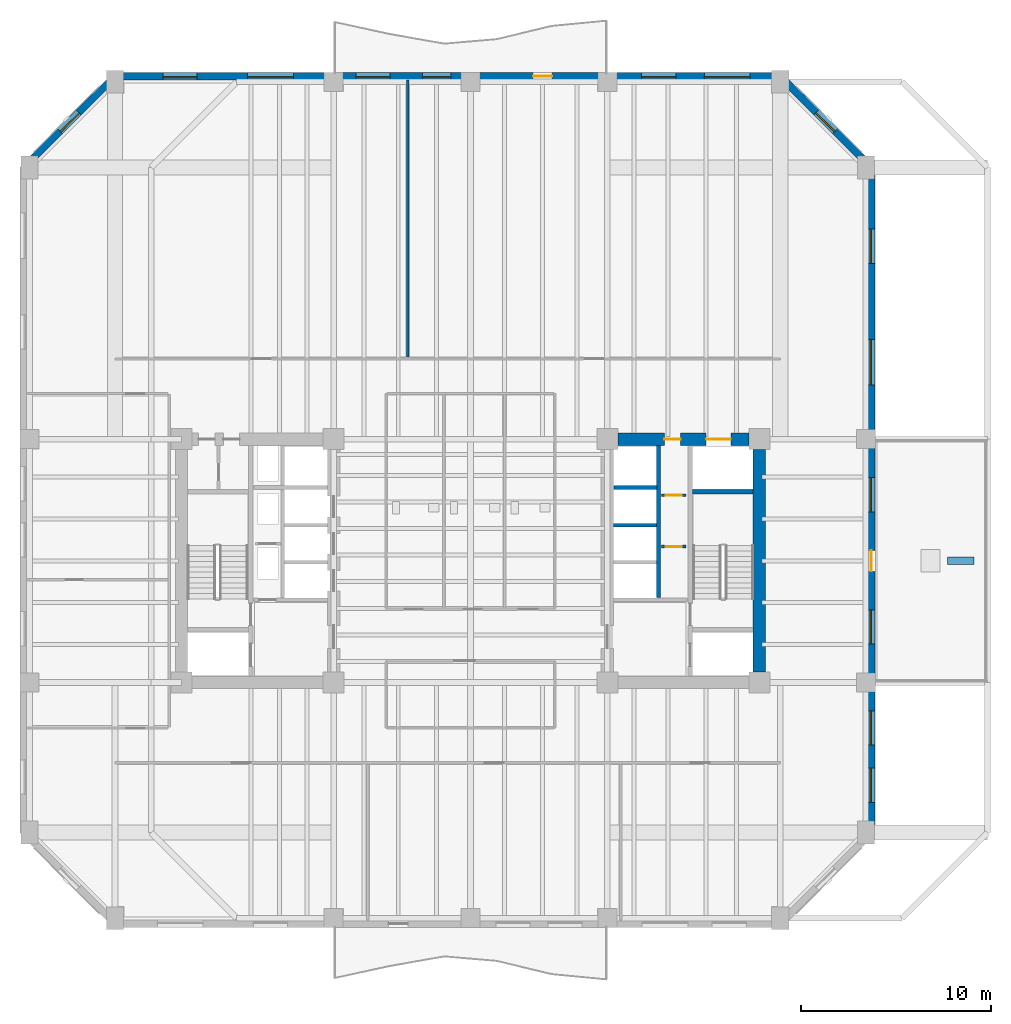
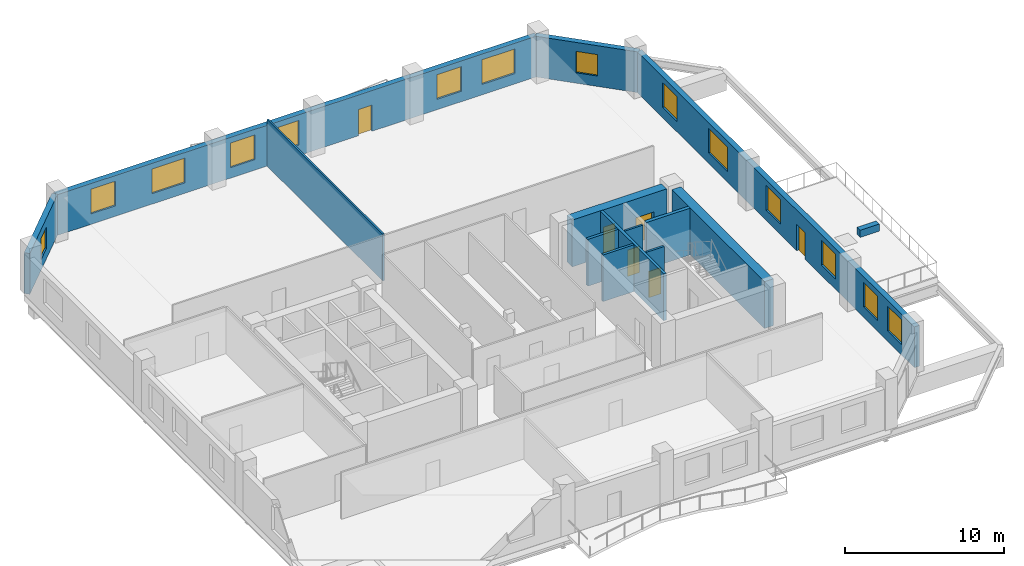
# One storey, part 5 of 11: 14 walls, 14 windows, 6 doors, 20 openings.
"""IFC4 building model written with IfcOpenShell, lengths in metres."""

import ifcopenshell
import ifcopenshell.guid

model = None  # the IFC model being written
_history = None  # IfcOwnerHistory: only IFC2X3 demands one
_inside = {}  # id of a spatial element -> (the spatial element, [elements in it])
_under = {}  # id of a project, library or spatial element -> (it, [spatial elements below it])
_declared = {}  # id of a project -> (the project, [libraries it declares])
_typed = {}  # id of a type object -> (the type object, [elements of that type])
_made_of = {}  # id of a material, layer set ... -> (it, [elements and type objects made of it])


def new_model(schema):
    """Start an empty IFC model of exactly this schema.

    Asked for "IFC4X3", IfcOpenShell would pick the latest addendum, in which some entities
    have other attributes; the version numbers below select the first issue.
    IFC2X3 requires an IfcOwnerHistory on every rooted entity: one is made here for all.
    """
    global model, _history
    if schema == "IFC4X3":
        model = ifcopenshell.file(schema_version=(4, 3, 0, 0))
    else:
        model = ifcopenshell.file(schema=schema)
    _inside.clear()
    _under.clear()
    _declared.clear()
    _typed.clear()
    _made_of.clear()
    _history = None
    if model.schema == "IFC2X3":
        org = make("IfcOrganization", Name="unknown")
        user = make(
            "IfcPersonAndOrganization",
            ThePerson=make("IfcPerson", FamilyName="unknown"),
            TheOrganization=org,
        )
        app = make(
            "IfcApplication",
            ApplicationDeveloper=org,
            Version="unknown",
            ApplicationFullName="unknown",
            ApplicationIdentifier="unknown",
        )
        _history = make(
            "IfcOwnerHistory",
            OwningUser=user,
            OwningApplication=app,
            ChangeAction="ADDED",
            CreationDate=0,
        )
    return model


def make(cls, **values):
    """One entity of the class cls with the attributes given. An attribute that is None is left unset."""
    return model.create_entity(
        cls, **{name: value for name, value in values.items() if value is not None}
    )


def rooted(cls, **values):
    """An entity with a GlobalId (a new one), such as an element, a storey or a relation."""
    return make(cls, GlobalId=ifcopenshell.guid.new(), OwnerHistory=_history, **values)


def si_unit(unit_type, name, prefix=None):
    """IfcSIUnit, for example si_unit("LENGTHUNIT", "METRE", prefix="MILLI")."""
    return make("IfcSIUnit", UnitType=unit_type, Prefix=prefix, Name=name)


def assignment(units):
    """IfcUnitAssignment: the units of a project."""
    return None if units is None else make("IfcUnitAssignment", Units=units)


def point(xyz):
    """IfcCartesianPoint."""
    return None if xyz is None else make("IfcCartesianPoint", Coordinates=xyz)


def direction(xyz):
    """IfcDirection."""
    return None if xyz is None else make("IfcDirection", DirectionRatios=xyz)


def frame(location, z_axis=None, x_axis=None):
    """IfcAxis2Placement3D, a coordinate frame: its origin and axes. An axis left out is left unset."""
    return make(
        "IfcAxis2Placement3D",
        Location=point(location),
        Axis=direction(z_axis),
        RefDirection=direction(x_axis),
    )


def frame_2d(location, x_axis=None):
    """IfcAxis2Placement2D, a coordinate frame in the plane: its origin and x axis."""
    return make(
        "IfcAxis2Placement2D", Location=point(location), RefDirection=direction(x_axis)
    )


def origin():
    """The frame at (0, 0, 0) with its axes left unset."""
    return frame((0.0, 0.0, 0.0))


def place(relative_to, where):
    """IfcLocalPlacement: puts the frame where relative to a parent placement (None: the world)."""
    return make(
        "IfcLocalPlacement", PlacementRelTo=relative_to, RelativePlacement=where
    )


def context(
    kind, dimensions, precision=None, world=None, true_north=None, identifier=None
):
    """IfcGeometricRepresentationContext, for example the 3D "Model" context."""
    return make(
        "IfcGeometricRepresentationContext",
        ContextIdentifier=identifier,
        ContextType=kind,
        CoordinateSpaceDimension=dimensions,
        Precision=precision,
        WorldCoordinateSystem=world,
        TrueNorth=true_north,
    )


def subcontext(parent, identifier, kind, view, scale=None):
    """IfcGeometricRepresentationSubContext, for example "Body" below "Model"."""
    return make(
        "IfcGeometricRepresentationSubContext",
        ContextIdentifier=identifier,
        ContextType=kind,
        ParentContext=parent,
        TargetScale=scale,
        TargetView=view,
    )


def project(units=None, contexts=None):
    """IfcProject with its units and contexts."""
    return rooted(
        "IfcProject",
        Name="project",
        RepresentationContexts=contexts,
        UnitsInContext=assignment(units),
    )


def spatial(cls, under=None, at=None, **own):
    """A site, building, storey or space (cls), placed at a placement, below another one or the project."""
    s = rooted(cls, ObjectPlacement=at, **own)
    if under is not None:
        _under.setdefault(under.id(), (under, []))[1].append(s)
    return s


def profile(cls, at=None, kind="AREA", **sizes):
    """A parametric profile (cls). Its sizes go by their IFC names, for example OverallWidth=200.0."""
    return make(cls, ProfileType=kind, Position=at, **sizes)


def rectangle(**sizes):
    """IfcRectangleProfileDef."""
    return profile("IfcRectangleProfileDef", **sizes)


def extrude(swept, where, along, depth):
    """IfcExtrudedAreaSolid: the profile swept, set in the frame where, extruded along a direction by depth."""
    return make(
        "IfcExtrudedAreaSolid",
        SweptArea=swept,
        Position=where,
        ExtrudedDirection=direction(along),
        Depth=depth,
    )


def shape(context_of_items, identifier, shape_type, items):
    """IfcShapeRepresentation: the items that make up one representation, for example the "Body"."""
    return make(
        "IfcShapeRepresentation",
        ContextOfItems=context_of_items,
        RepresentationIdentifier=identifier,
        RepresentationType=shape_type,
        Items=items,
    )


def material(Name=None, Category=None):
    """IfcMaterial."""
    return make("IfcMaterial", Name=Name, Category=Category)


def layer(
    of_material, thickness, ventilated=None, Name=None, Category=None, Priority=None
):
    """IfcMaterialLayer: one layer of a wall or slab, of a material (None: an air gap)."""
    return make(
        "IfcMaterialLayer",
        Material=of_material,
        LayerThickness=thickness,
        IsVentilated=ventilated,
        Name=Name,
        Category=Category,
        Priority=Priority,
    )


def layer_set(layers, Name=None):
    """IfcMaterialLayerSet."""
    return make("IfcMaterialLayerSet", MaterialLayers=layers, LayerSetName=Name)


def made_of(thing, what):
    """Note that an element or type object is made of a material, layer set ...; save() writes the relation."""
    if what is not None:
        _made_of.setdefault(what.id(), (what, []))[1].append(thing)
    return thing


def type_object(cls, material=None, **own):
    """A type object (cls), such as IfcWallType, which elements share."""
    return made_of(rooted(cls, **own), material)


def element(
    cls,
    number,
    at=None,
    inside=None,
    cuts=None,
    type_object=None,
    material=None,
    context=None,
    identifier="Body",
    shape_type=None,
    held_by="IfcProductDefinitionShape",
    body=None,
    shapes=None,
    **own,
):
    """One element of the class cls, such as IfcWall. Its Tag is "e" and its number.

    at: its placement. inside: the storey or other place that contains it. cuts: it is an
    opening in that element (IfcRelVoidsElement). A single representation is given by context,
    identifier, shape_type and body (its items); several are given by shapes. held_by: the class
    of the entity that holds the representations. save() writes the other relations.
    """
    e = rooted(cls, Tag="e%d" % number, ObjectPlacement=at, **own)
    if body is not None:
        shapes = [shape(context, identifier, shape_type, body)]
    if shapes is not None:
        e.Representation = make(held_by, Representations=shapes)
    if inside is not None:
        _inside.setdefault(inside.id(), (inside, []))[1].append(e)
    if cuts is not None:
        rooted(
            "IfcRelVoidsElement", RelatingBuildingElement=cuts, RelatedOpeningElement=e
        )
    if type_object is not None:
        _typed.setdefault(type_object.id(), (type_object, []))[1].append(e)
    return made_of(e, material)


def fill(opening, filler):
    """IfcRelFillsElement: the door or window that sits in an opening."""
    return rooted(
        "IfcRelFillsElement",
        RelatingOpeningElement=opening,
        RelatedBuildingElement=filler,
    )


def aggregate(whole, parts):
    """IfcRelAggregates: a whole, such as a stair, and the parts it consists of."""
    return rooted("IfcRelAggregates", RelatingObject=whole, RelatedObjects=parts)


def save(model, path):
    """Write the relations noted so far, then the file.

    IfcRelAggregates (storeys below a building ...), IfcRelContainedInSpatialStructure (elements
    in a storey), IfcRelDefinesByType, IfcRelAssociatesMaterial and IfcRelDeclares: one each for
    every whole, place, type object, material and project.
    """
    for whole, parts in _under.values():
        aggregate(whole, parts)
    for where, things in _inside.values():
        rooted(
            "IfcRelContainedInSpatialStructure",
            RelatedElements=things,
            RelatingStructure=where,
        )
    for kind, things in _typed.values():
        rooted("IfcRelDefinesByType", RelatedObjects=things, RelatingType=kind)
    for what, things in _made_of.values():
        rooted("IfcRelAssociatesMaterial", RelatedObjects=things, RelatingMaterial=what)
    for by, libraries in _declared.values():
        rooted("IfcRelDeclares", RelatingContext=by, RelatedDefinitions=libraries)
    model.write(path)


model = new_model("IFC4")

# Units and contexts
model_context = context("Model", 3, precision=1e-05, world=origin(), true_north=direction((0.0, 1.0)))
body_context = subcontext(model_context, "Body", "Model", "MODEL_VIEW")
ifc_project = project(units=[si_unit("LENGTHUNIT", "METRE"), si_unit("AREAUNIT", "SQUARE_METRE"), si_unit("VOLUMEUNIT", "CUBIC_METRE"), si_unit("PLANEANGLEUNIT", "RADIAN"), si_unit("MASSUNIT", "GRAM", prefix="KILO")], contexts=[model_context])

# Site, building, storey
site_placement = place(None, origin())
site = spatial("IfcSite", under=ifc_project, at=site_placement, CompositionType="ELEMENT")
building_placement = place(site_placement, origin())
building = spatial("IfcBuilding", under=site, at=building_placement, Name="Kranthara Brick Stack", CompositionType="ELEMENT")
storey_placement = place(building_placement, frame((0.0, 0.0, 94.5)))
storey = spatial("IfcBuildingStorey", under=building, at=storey_placement, Name="L23", CompositionType="ELEMENT", Elevation=94.5)

# Wall, opening, window
ifc_material_1 = material(Name="Kiln-fired clay brick masonry M15", Category="masonry")
ifc_layer_1 = layer(ifc_material_1, 0.3798828125)
ifc_layer_set_1 = layer_set([ifc_layer_1], Name="Kiln-fired clay brick masonry M15")
wall_type_1 = type_object("IfcWallType", Name="WL-BRK-PIER-380", PredefinedType="STANDARD", material=ifc_layer_set_1)
wall_1_placement = place(storey_placement, frame((4.510009765625, 47.89990234375, 0.0), z_axis=(0.0, 0.0, 1.0), x_axis=(0.707106781187, 0.707106781187, 0.0)))
wall_1 = element("IfcWall", 1, at=wall_1_placement, inside=storey, type_object=wall_type_1, Name="L23 Exterior Brick Facade Wall NW 1", PredefinedType="STANDARD", context=body_context, shape_type="SweptSolid", body=[
    extrude(rectangle(XDim=6.774169921875, YDim=0.3798828125, at=frame_2d((3.38720703125, 0.0))), origin(), (0.0, 0.0, 1.0), 3.135009765625),
])
opening_1_placement = place(wall_1_placement, frame((2.68701171875, 0.0, 0.800048828125)))
opening_1 = element("IfcOpeningElement", 2, at=opening_1_placement, cuts=wall_1, Name="Opening WN10", PredefinedType="OPENING", context=body_context, shape_type="SweptSolid", body=[
    extrude(rectangle(XDim=1.39990234375, YDim=1.64990234375, at=frame_2d((0.699951171875, 0.824951171875))), frame((0.0, 0.199951171875, 0.0), z_axis=(0.0, -1.0, 0.0), x_axis=(1.0, 0.0, 0.0)), (0.0, 0.0, 1.0), 0.39990234375),
])
ifc_material_2 = material(Name="Double-glazed low-E solar control glass", Category="glass")
window_type_1 = type_object("IfcWindowType", Name="WN-CHM-1400x1750", PartitioningType="SINGLE_PANEL", PredefinedType="WINDOW", material=ifc_material_2)
window_1_placement = place(opening_1_placement, origin())
window_1 = element("IfcWindow", 3, at=window_1_placement, inside=storey, type_object=window_type_1, Name="L23 NW Chamfer Corner Window", OverallHeight=1.64990234375, OverallWidth=1.39990234375, PartitioningType="SINGLE_PANEL", PredefinedType="WINDOW", context=body_context, shape_type="SweptSolid", body=[
    extrude(rectangle(XDim=1.39990234375, YDim=1.64990234375, at=frame_2d((0.699951171875, 0.824951171875))), frame((0.0, -0.010009765625, 0.0), z_axis=(0.0, -1.0, 0.0), x_axis=(1.0, 0.0, 0.0)), (0.0, 0.0, 1.0), 0.06005859375),
])
fill(opening_1, window_1)

# Wall, openings, door, windows
wall_2_placement = place(storey_placement, frame((9.300048828125, 52.68994140625, 0.0), z_axis=(0.0, 0.0, 1.0), x_axis=(1.0, 0.0, 0.0)))
wall_2 = element("IfcWall", 4, at=wall_2_placement, inside=storey, type_object=wall_type_1, Name="L23 Exterior Brick Facade Wall NORTH 1", PredefinedType="STANDARD", context=body_context, shape_type="SweptSolid", body=[
    extrude(rectangle(XDim=35.0, YDim=0.3798828125, at=frame_2d((17.5, 0.0))), origin(), (0.0, 0.0, 1.0), 3.135009765625),
])
opening_2_placement = place(wall_2_placement, frame((22.0, 0.0, 0.0)))
opening_2 = element("IfcOpeningElement", 5, at=opening_2_placement, cuts=wall_2, Name="Opening D03", PredefinedType="OPENING", context=body_context, shape_type="SweptSolid", body=[
    extrude(rectangle(XDim=1.0, YDim=2.02001953125, at=frame_2d((0.5, 1.010009765625))), frame((0.0, 0.199951171875, 0.0), z_axis=(0.0, -1.0, 0.0), x_axis=(1.0, 0.0, 0.0)), (0.0, 0.0, 1.0), 0.39990234375),
])
opening_3_placement = place(wall_2_placement, frame((2.52392578125, 0.0, 0.800048828125)))
opening_3 = element("IfcOpeningElement", 6, at=opening_3_placement, cuts=wall_2, Name="Opening WN01", PredefinedType="OPENING", context=body_context, shape_type="SweptSolid", body=[
    extrude(rectangle(XDim=1.800048828125, YDim=1.89990234375, at=frame_2d((0.89990234375, 0.949951171875))), frame((0.0, 0.199951171875, 0.0), z_axis=(0.0, -1.0, 0.0), x_axis=(1.0, 0.0, 0.0)), (0.0, 0.0, 1.0), 0.39990234375),
])
opening_4_placement = place(wall_2_placement, frame((6.97607421875, 0.0, 0.800048828125)))
opening_4 = element("IfcOpeningElement", 7, at=opening_4_placement, cuts=wall_2, Name="Opening WN02", PredefinedType="OPENING", context=body_context, shape_type="SweptSolid", body=[
    extrude(rectangle(XDim=2.39990234375, YDim=1.89990234375, at=frame_2d((1.199951171875, 0.949951171875))), frame((0.0, 0.199951171875, 0.0), z_axis=(0.0, -1.0, 0.0), x_axis=(1.0, 0.0, 0.0)), (0.0, 0.0, 1.0), 0.39990234375),
])
opening_5_placement = place(wall_2_placement, frame((12.675048828125, 0.0, 0.800048828125)))
opening_5 = element("IfcOpeningElement", 8, at=opening_5_placement, cuts=wall_2, Name="Opening WN01", PredefinedType="OPENING", context=body_context, shape_type="SweptSolid", body=[
    extrude(rectangle(XDim=1.800048828125, YDim=1.89990234375, at=frame_2d((0.89990234375, 0.949951171875))), frame((0.0, 0.199951171875, 0.0), z_axis=(0.0, -1.0, 0.0), x_axis=(1.0, 0.0, 0.0)), (0.0, 0.0, 1.0), 0.39990234375),
])
opening_6_placement = place(wall_2_placement, frame((16.175048828125, 0.0, 0.800048828125)))
opening_6 = element("IfcOpeningElement", 9, at=opening_6_placement, cuts=wall_2, Name="Opening WN03", PredefinedType="OPENING", context=body_context, shape_type="SweptSolid", body=[
    extrude(rectangle(XDim=1.5, YDim=1.89990234375, at=frame_2d((0.75, 0.949951171875))), frame((0.0, 0.199951171875, 0.0), z_axis=(0.0, -1.0, 0.0), x_axis=(1.0, 0.0, 0.0)), (0.0, 0.0, 1.0), 0.39990234375),
])
opening_7_placement = place(wall_2_placement, frame((27.699951171875, 0.0, 0.800048828125)))
opening_7 = element("IfcOpeningElement", 10, at=opening_7_placement, cuts=wall_2, Name="Opening WN01", PredefinedType="OPENING", context=body_context, shape_type="SweptSolid", body=[
    extrude(rectangle(XDim=1.800048828125, YDim=1.89990234375, at=frame_2d((0.89990234375, 0.949951171875))), frame((0.0, 0.199951171875, 0.0), z_axis=(0.0, -1.0, 0.0), x_axis=(1.0, 0.0, 0.0)), (0.0, 0.0, 1.0), 0.39990234375),
])
opening_8_placement = place(wall_2_placement, frame((31.0, 0.0, 0.800048828125)))
opening_8 = element("IfcOpeningElement", 11, at=opening_8_placement, cuts=wall_2, Name="Opening WN02", PredefinedType="OPENING", context=body_context, shape_type="SweptSolid", body=[
    extrude(rectangle(XDim=2.39990234375, YDim=1.89990234375, at=frame_2d((1.199951171875, 0.949951171875))), frame((0.0, 0.199951171875, 0.0), z_axis=(0.0, -1.0, 0.0), x_axis=(1.0, 0.0, 0.0)), (0.0, 0.0, 1.0), 0.39990234375),
])
ifc_material_3 = material(Name="Bronze anodised aluminium and laminated glass", Category="aluminium")
door_type_1 = type_object("IfcDoorType", Name="DR-BALC-1000", OperationType="NOTDEFINED", PredefinedType="DOOR", material=ifc_material_3)
door_1_placement = place(opening_2_placement, origin())
door_1 = element("IfcDoor", 12, at=door_1_placement, inside=storey, type_object=door_type_1, Name="L23 North Balcony Terrace Door", OperationType="SINGLE_SWING_RIGHT", OverallHeight=2.02001953125, OverallWidth=1.0, PredefinedType="DOOR", context=body_context, shape_type="SweptSolid", body=[
    extrude(rectangle(XDim=1.0, YDim=2.02001953125, at=frame_2d((0.5, 1.010009765625))), frame((0.0, 0.02490234375, 0.0), z_axis=(0.0, -1.0, 0.0), x_axis=(1.0, 0.0, 0.0)), (0.0, 0.0, 1.0), 0.050048828125),
])
fill(opening_2, door_1)
ifc_material_4 = material(Name="Double-glazed low-E solar control glass", Category="glass")
window_type_2 = type_object("IfcWindowType", Name="WN-OFF-1500x2000", PartitioningType="SINGLE_PANEL", PredefinedType="WINDOW", material=ifc_material_4)
window_2_placement = place(opening_6_placement, origin())
window_2 = element("IfcWindow", 13, at=window_2_placement, inside=storey, type_object=window_type_2, Name="L23 North Deep-Set Brick Window 04", OverallHeight=1.89990234375, OverallWidth=1.5, PartitioningType="SINGLE_PANEL", PredefinedType="WINDOW", context=body_context, shape_type="SweptSolid", body=[
    extrude(rectangle(XDim=1.5, YDim=1.89990234375, at=frame_2d((0.75, 0.949951171875))), frame((0.0, -0.010009765625, 0.0), z_axis=(0.0, -1.0, 0.0), x_axis=(1.0, 0.0, 0.0)), (0.0, 0.0, 1.0), 0.06005859375),
])
fill(opening_6, window_2)
ifc_material_5 = material(Name="Double-glazed low-E solar control glass", Category="glass")
window_type_3 = type_object("IfcWindowType", Name="WN-OFF-1800x2000", PartitioningType="SINGLE_PANEL", PredefinedType="WINDOW", material=ifc_material_5)
window_3_placement = place(opening_3_placement, origin())
window_3 = element("IfcWindow", 14, at=window_3_placement, inside=storey, type_object=window_type_3, Name="L23 North Deep-Set Brick Window 01", OverallHeight=1.89990234375, OverallWidth=1.800048828125, PartitioningType="SINGLE_PANEL", PredefinedType="WINDOW", context=body_context, shape_type="SweptSolid", body=[
    extrude(rectangle(XDim=1.800048828125, YDim=1.89990234375, at=frame_2d((0.89990234375, 0.949951171875))), frame((0.0, -0.010009765625, 0.0), z_axis=(0.0, -1.0, 0.0), x_axis=(1.0, 0.0, 0.0)), (0.0, 0.0, 1.0), 0.06005859375),
])
fill(opening_3, window_3)
window_4_placement = place(opening_5_placement, origin())
window_4 = element("IfcWindow", 15, at=window_4_placement, inside=storey, type_object=window_type_3, Name="L23 North Deep-Set Brick Window 03", OverallHeight=1.89990234375, OverallWidth=1.800048828125, PartitioningType="SINGLE_PANEL", PredefinedType="WINDOW", context=body_context, shape_type="SweptSolid", body=[
    extrude(rectangle(XDim=1.800048828125, YDim=1.89990234375, at=frame_2d((0.89990234375, 0.949951171875))), frame((0.0, -0.010009765625, 0.0), z_axis=(0.0, -1.0, 0.0), x_axis=(1.0, 0.0, 0.0)), (0.0, 0.0, 1.0), 0.06005859375),
])
fill(opening_5, window_4)
window_5_placement = place(opening_7_placement, origin())
window_5 = element("IfcWindow", 16, at=window_5_placement, inside=storey, type_object=window_type_3, Name="L23 North Deep-Set Brick Window 05", OverallHeight=1.89990234375, OverallWidth=1.800048828125, PartitioningType="SINGLE_PANEL", PredefinedType="WINDOW", context=body_context, shape_type="SweptSolid", body=[
    extrude(rectangle(XDim=1.800048828125, YDim=1.89990234375, at=frame_2d((0.89990234375, 0.949951171875))), frame((0.0, -0.010009765625, 0.0), z_axis=(0.0, -1.0, 0.0), x_axis=(1.0, 0.0, 0.0)), (0.0, 0.0, 1.0), 0.06005859375),
])
fill(opening_7, window_5)
ifc_material_6 = material(Name="Double-glazed low-E solar control glass", Category="glass")
window_type_4 = type_object("IfcWindowType", Name="WN-OFF-2400x2000", PartitioningType="DOUBLE_PANEL_VERTICAL", PredefinedType="WINDOW", material=ifc_material_6)
window_6_placement = place(opening_4_placement, origin())
window_6 = element("IfcWindow", 17, at=window_6_placement, inside=storey, type_object=window_type_4, Name="L23 North Deep-Set Brick Window 02", OverallHeight=1.89990234375, OverallWidth=2.39990234375, PartitioningType="SINGLE_PANEL", PredefinedType="WINDOW", context=body_context, shape_type="SweptSolid", body=[
    extrude(rectangle(XDim=2.39990234375, YDim=1.89990234375, at=frame_2d((1.199951171875, 0.949951171875))), frame((0.0, -0.010009765625, 0.0), z_axis=(0.0, -1.0, 0.0), x_axis=(1.0, 0.0, 0.0)), (0.0, 0.0, 1.0), 0.06005859375),
])
fill(opening_4, window_6)
window_7_placement = place(opening_8_placement, origin())
window_7 = element("IfcWindow", 18, at=window_7_placement, inside=storey, type_object=window_type_4, Name="L23 North Deep-Set Brick Window 06", OverallHeight=1.89990234375, OverallWidth=2.39990234375, PartitioningType="SINGLE_PANEL", PredefinedType="WINDOW", context=body_context, shape_type="SweptSolid", body=[
    extrude(rectangle(XDim=2.39990234375, YDim=1.89990234375, at=frame_2d((1.199951171875, 0.949951171875))), frame((0.0, -0.010009765625, 0.0), z_axis=(0.0, -1.0, 0.0), x_axis=(1.0, 0.0, 0.0)), (0.0, 0.0, 1.0), 0.06005859375),
])
fill(opening_8, window_7)

# Wall, opening, window
wall_3_placement = place(storey_placement, frame((44.300048828125, 52.68994140625, 0.0), z_axis=(0.0, 0.0, 1.0), x_axis=(0.707106781187, -0.707106781187, 0.0)))
wall_3 = element("IfcWall", 19, at=wall_3_placement, inside=storey, type_object=wall_type_1, Name="L23 Exterior Brick Facade Wall NE 1", PredefinedType="STANDARD", context=body_context, shape_type="SweptSolid", body=[
    extrude(rectangle(XDim=6.774169921875, YDim=0.3798828125, at=frame_2d((3.38720703125, 0.0))), origin(), (0.0, 0.0, 1.0), 3.135009765625),
])
opening_9_placement = place(wall_3_placement, frame((2.68701171875, 0.0, 0.800048828125)))
opening_9 = element("IfcOpeningElement", 20, at=opening_9_placement, cuts=wall_3, Name="Opening WN10", PredefinedType="OPENING", context=body_context, shape_type="SweptSolid", body=[
    extrude(rectangle(XDim=1.39990234375, YDim=1.64990234375, at=frame_2d((0.699951171875, 0.824951171875))), frame((0.0, 0.199951171875, 0.0), z_axis=(0.0, -1.0, 0.0), x_axis=(1.0, 0.0, 0.0)), (0.0, 0.0, 1.0), 0.39990234375),
])
window_8_placement = place(opening_9_placement, origin())
window_8 = element("IfcWindow", 21, at=window_8_placement, inside=storey, type_object=window_type_1, Name="L23 NE Chamfer Corner Window", OverallHeight=1.64990234375, OverallWidth=1.39990234375, PartitioningType="SINGLE_PANEL", PredefinedType="WINDOW", context=body_context, shape_type="SweptSolid", body=[
    extrude(rectangle(XDim=1.39990234375, YDim=1.64990234375, at=frame_2d((0.699951171875, 0.824951171875))), frame((0.0, -0.010009765625, 0.0), z_axis=(0.0, -1.0, 0.0), x_axis=(1.0, 0.0, 0.0)), (0.0, 0.0, 1.0), 0.06005859375),
])
fill(opening_9, window_8)

# Wall, openings, door, windows
wall_4_placement = place(storey_placement, frame((49.090087890625, 47.89990234375, 0.0), z_axis=(0.0, 0.0, 1.0), x_axis=(0.0, -1.0, 0.0)))
wall_4 = element("IfcWall", 22, at=wall_4_placement, inside=storey, type_object=wall_type_1, Name="L23 Exterior Brick Facade Wall EAST 1", PredefinedType="STANDARD", context=body_context, shape_type="SweptSolid", body=[
    extrude(rectangle(XDim=35.0, YDim=0.3798828125, at=frame_2d((17.5, 0.0))), origin(), (0.0, 0.0, 1.0), 3.135009765625),
])
opening_10_placement = place(wall_4_placement, frame((20.14990234375, 0.0, 0.0)))
opening_10 = element("IfcOpeningElement", 23, at=opening_10_placement, cuts=wall_4, Name="Opening D02", PredefinedType="OPENING", context=body_context, shape_type="SweptSolid", body=[
    extrude(rectangle(XDim=1.10009765625, YDim=2.050048828125, at=frame_2d((0.550048828125, 1.02490234375))), frame((0.0, 0.199951171875, 0.0), z_axis=(0.0, -1.0, 0.0), x_axis=(1.0, 0.0, 0.0)), (0.0, 0.0, 1.0), 0.39990234375),
])
opening_11_placement = place(wall_4_placement, frame((3.251953125, 0.0, 0.800048828125)))
opening_11 = element("IfcOpeningElement", 24, at=opening_11_placement, cuts=wall_4, Name="Opening WN01", PredefinedType="OPENING", context=body_context, shape_type="SweptSolid", body=[
    extrude(rectangle(XDim=1.800048828125, YDim=1.89990234375, at=frame_2d((0.89990234375, 0.949951171875))), frame((0.0, 0.199951171875, 0.0), z_axis=(0.0, -1.0, 0.0), x_axis=(1.0, 0.0, 0.0)), (0.0, 0.0, 1.0), 0.39990234375),
])
opening_12_placement = place(wall_4_placement, frame((9.048095703125, 0.0, 0.800048828125)))
opening_12 = element("IfcOpeningElement", 25, at=opening_12_placement, cuts=wall_4, Name="Opening WN02", PredefinedType="OPENING", context=body_context, shape_type="SweptSolid", body=[
    extrude(rectangle(XDim=2.39990234375, YDim=1.89990234375, at=frame_2d((1.199951171875, 0.949951171875))), frame((0.0, 0.199951171875, 0.0), z_axis=(0.0, -1.0, 0.0), x_axis=(1.0, 0.0, 0.0)), (0.0, 0.0, 1.0), 0.39990234375),
])
opening_13_placement = place(wall_4_placement, frame((16.324951171875, 0.0, 0.800048828125)))
opening_13 = element("IfcOpeningElement", 26, at=opening_13_placement, cuts=wall_4, Name="Opening WN01", PredefinedType="OPENING", context=body_context, shape_type="SweptSolid", body=[
    extrude(rectangle(XDim=1.800048828125, YDim=1.89990234375, at=frame_2d((0.89990234375, 0.949951171875))), frame((0.0, 0.199951171875, 0.0), z_axis=(0.0, -1.0, 0.0), x_axis=(1.0, 0.0, 0.0)), (0.0, 0.0, 1.0), 0.39990234375),
])
opening_14_placement = place(wall_4_placement, frame((23.27490234375, 0.0, 0.800048828125)))
opening_14 = element("IfcOpeningElement", 27, at=opening_14_placement, cuts=wall_4, Name="Opening WN01", PredefinedType="OPENING", context=body_context, shape_type="SweptSolid", body=[
    extrude(rectangle(XDim=1.800048828125, YDim=1.89990234375, at=frame_2d((0.89990234375, 0.949951171875))), frame((0.0, 0.199951171875, 0.0), z_axis=(0.0, -1.0, 0.0), x_axis=(1.0, 0.0, 0.0)), (0.0, 0.0, 1.0), 0.39990234375),
])
opening_15_placement = place(wall_4_placement, frame((28.587890625, 0.0, 0.800048828125)))
opening_15 = element("IfcOpeningElement", 28, at=opening_15_placement, cuts=wall_4, Name="Opening WN01", PredefinedType="OPENING", context=body_context, shape_type="SweptSolid", body=[
    extrude(rectangle(XDim=1.800048828125, YDim=1.89990234375, at=frame_2d((0.89990234375, 0.949951171875))), frame((0.0, 0.199951171875, 0.0), z_axis=(0.0, -1.0, 0.0), x_axis=(1.0, 0.0, 0.0)), (0.0, 0.0, 1.0), 0.39990234375),
])
opening_16_placement = place(wall_4_placement, frame((31.612060546875, 0.0, 0.800048828125)))
opening_16 = element("IfcOpeningElement", 29, at=opening_16_placement, cuts=wall_4, Name="Opening WN01", PredefinedType="OPENING", context=body_context, shape_type="SweptSolid", body=[
    extrude(rectangle(XDim=1.800048828125, YDim=1.89990234375, at=frame_2d((0.89990234375, 0.949951171875))), frame((0.0, 0.199951171875, 0.0), z_axis=(0.0, -1.0, 0.0), x_axis=(1.0, 0.0, 0.0)), (0.0, 0.0, 1.0), 0.39990234375),
])
ifc_material_7 = material(Name="Bronze anodised aluminium and laminated glass", Category="aluminium")
door_type_2 = type_object("IfcDoorType", Name="DR-TERR-1100", OperationType="NOTDEFINED", PredefinedType="DOOR", material=ifc_material_7)
door_2_placement = place(opening_10_placement, origin())
door_2 = element("IfcDoor", 30, at=door_2_placement, inside=storey, type_object=door_type_2, Name="L23 Planted Sky Garden Terrace Door", OperationType="SINGLE_SWING_LEFT", OverallHeight=2.050048828125, OverallWidth=1.10009765625, PredefinedType="DOOR", context=body_context, shape_type="SweptSolid", body=[
    extrude(rectangle(XDim=1.10009765625, YDim=2.050048828125, at=frame_2d((0.550048828125, 1.02490234375))), frame((0.0, 0.02490234375, 0.0), z_axis=(0.0, -1.0, 0.0), x_axis=(1.0, 0.0, 0.0)), (0.0, 0.0, 1.0), 0.050048828125),
])
fill(opening_10, door_2)
window_9_placement = place(opening_11_placement, origin())
window_9 = element("IfcWindow", 31, at=window_9_placement, inside=storey, type_object=window_type_3, Name="L23 East Deep-Set Brick Window 01", OverallHeight=1.89990234375, OverallWidth=1.800048828125, PartitioningType="SINGLE_PANEL", PredefinedType="WINDOW", context=body_context, shape_type="SweptSolid", body=[
    extrude(rectangle(XDim=1.800048828125, YDim=1.89990234375, at=frame_2d((0.89990234375, 0.949951171875))), frame((0.0, -0.010009765625, 0.0), z_axis=(0.0, -1.0, 0.0), x_axis=(1.0, 0.0, 0.0)), (0.0, 0.0, 1.0), 0.06005859375),
])
fill(opening_11, window_9)
window_10_placement = place(opening_13_placement, origin())
window_10 = element("IfcWindow", 32, at=window_10_placement, inside=storey, type_object=window_type_3, Name="L23 East Deep-Set Brick Window 03", OverallHeight=1.89990234375, OverallWidth=1.800048828125, PartitioningType="SINGLE_PANEL", PredefinedType="WINDOW", context=body_context, shape_type="SweptSolid", body=[
    extrude(rectangle(XDim=1.800048828125, YDim=1.89990234375, at=frame_2d((0.89990234375, 0.949951171875))), frame((0.0, -0.010009765625, 0.0), z_axis=(0.0, -1.0, 0.0), x_axis=(1.0, 0.0, 0.0)), (0.0, 0.0, 1.0), 0.06005859375),
])
fill(opening_13, window_10)
window_11_placement = place(opening_14_placement, origin())
window_11 = element("IfcWindow", 33, at=window_11_placement, inside=storey, type_object=window_type_3, Name="L23 East Deep-Set Brick Window 04", OverallHeight=1.89990234375, OverallWidth=1.800048828125, PartitioningType="SINGLE_PANEL", PredefinedType="WINDOW", context=body_context, shape_type="SweptSolid", body=[
    extrude(rectangle(XDim=1.800048828125, YDim=1.89990234375, at=frame_2d((0.89990234375, 0.949951171875))), frame((0.0, -0.010009765625, 0.0), z_axis=(0.0, -1.0, 0.0), x_axis=(1.0, 0.0, 0.0)), (0.0, 0.0, 1.0), 0.06005859375),
])
fill(opening_14, window_11)
window_12_placement = place(opening_15_placement, origin())
window_12 = element("IfcWindow", 34, at=window_12_placement, inside=storey, type_object=window_type_3, Name="L23 East Deep-Set Brick Window 05", OverallHeight=1.89990234375, OverallWidth=1.800048828125, PartitioningType="SINGLE_PANEL", PredefinedType="WINDOW", context=body_context, shape_type="SweptSolid", body=[
    extrude(rectangle(XDim=1.800048828125, YDim=1.89990234375, at=frame_2d((0.89990234375, 0.949951171875))), frame((0.0, -0.010009765625, 0.0), z_axis=(0.0, -1.0, 0.0), x_axis=(1.0, 0.0, 0.0)), (0.0, 0.0, 1.0), 0.06005859375),
])
fill(opening_15, window_12)
window_13_placement = place(opening_16_placement, origin())
window_13 = element("IfcWindow", 35, at=window_13_placement, inside=storey, type_object=window_type_3, Name="L23 East Deep-Set Brick Window 06", OverallHeight=1.89990234375, OverallWidth=1.800048828125, PartitioningType="SINGLE_PANEL", PredefinedType="WINDOW", context=body_context, shape_type="SweptSolid", body=[
    extrude(rectangle(XDim=1.800048828125, YDim=1.89990234375, at=frame_2d((0.89990234375, 0.949951171875))), frame((0.0, -0.010009765625, 0.0), z_axis=(0.0, -1.0, 0.0), x_axis=(1.0, 0.0, 0.0)), (0.0, 0.0, 1.0), 0.06005859375),
])
fill(opening_16, window_13)
window_14_placement = place(opening_12_placement, origin())
window_14 = element("IfcWindow", 36, at=window_14_placement, inside=storey, type_object=window_type_4, Name="L23 East Deep-Set Brick Window 02", OverallHeight=1.89990234375, OverallWidth=2.39990234375, PartitioningType="SINGLE_PANEL", PredefinedType="WINDOW", context=body_context, shape_type="SweptSolid", body=[
    extrude(rectangle(XDim=2.39990234375, YDim=1.89990234375, at=frame_2d((1.199951171875, 0.949951171875))), frame((0.0, -0.010009765625, 0.0), z_axis=(0.0, -1.0, 0.0), x_axis=(1.0, 0.0, 0.0)), (0.0, 0.0, 1.0), 0.06005859375),
])
fill(opening_12, window_14)

# Walls
ifc_material_8 = material(Name="Concrete C50/60", Category="concrete")
ifc_layer_2 = layer(ifc_material_8, 0.25)
ifc_layer_set_2 = layer_set([ifc_layer_2], Name="Concrete C50/60")
wall_type_2 = type_object("IfcWallType", Name="WL-CORE-250", PredefinedType="SHEAR", material=ifc_layer_set_2)
wall_5_placement = place(storey_placement, frame((39.68994140625, 30.830078125, 0.0), z_axis=(0.0, 0.0, 1.0), x_axis=(1.0, 0.0, 0.0)))
element("IfcWall", 37, at=wall_5_placement, inside=storey, type_object=wall_type_2, Name="L23 East Stairwell Bearing Wall EST", PredefinedType="SHEAR", context=body_context, shape_type="SweptSolid", body=[
    extrude(rectangle(XDim=3.175048828125, YDim=0.25, at=frame_2d((1.58740234375, 0.0))), origin(), (0.0, 0.0, 1.0), 3.60009765625),
])
ifc_material_9 = material(Name="Concrete C60/75", Category="concrete")
ifc_layer_3 = layer(ifc_material_9, 0.64990234375)
ifc_layer_set_3 = layer_set([ifc_layer_3], Name="Concrete C60/75")
wall_type_3 = type_object("IfcWallType", Name="WL-CORE-650", PredefinedType="SHEAR", material=ifc_layer_set_3)
wall_6_placement = place(storey_placement, frame((43.199951171875, 21.35498046875, 0.0), z_axis=(0.0, 0.0, 1.0), x_axis=(0.0, 1.0, 0.0)))
element("IfcWall", 38, at=wall_6_placement, inside=storey, type_object=wall_type_3, Name="L23 East Core Shear Wall East", PredefinedType="SHEAR", context=body_context, shape_type="SweptSolid", body=[
    extrude(rectangle(XDim=11.68994140625, YDim=0.64990234375, at=frame_2d((5.844970703125, 0.0))), origin(), (0.0, 0.0, 1.0), 3.60009765625),
])

# Wall, openings, doors
wall_7_placement = place(storey_placement, frame((35.7548828125, 33.60009765625, 0.0), z_axis=(0.0, 0.0, 1.0), x_axis=(1.0, 0.0, 0.0)))
wall_7 = element("IfcWall", 39, at=wall_7_placement, inside=storey, type_object=wall_type_3, Name="L23 East Core Shear Wall North", PredefinedType="SHEAR", context=body_context, shape_type="SweptSolid", body=[
    extrude(rectangle(XDim=6.89013671875, YDim=0.64990234375, at=frame_2d((3.445068359375, 0.0))), origin(), (0.0, 0.0, 1.0), 3.60009765625),
])
opening_17_placement = place(wall_7_placement, frame((4.64501953125, 0.0, 0.0)))
opening_17 = element("IfcOpeningElement", 40, at=opening_17_placement, cuts=wall_7, Name="Opening LD03", PredefinedType="OPENING", context=body_context, shape_type="SweptSolid", body=[
    extrude(rectangle(XDim=1.300048828125, YDim=2.14990234375, at=frame_2d((0.64990234375, 1.074951171875))), frame((0.0, 0.3349609375, 0.0), z_axis=(0.0, -1.0, 0.0), x_axis=(1.0, 0.0, 0.0)), (0.0, 0.0, 1.0), 0.669921875),
])
opening_18_placement = place(wall_7_placement, frame((2.445068359375, 0.0, 0.0)))
opening_18 = element("IfcOpeningElement", 41, at=opening_18_placement, cuts=wall_7, Name="Opening D10", PredefinedType="OPENING", context=body_context, shape_type="SweptSolid", body=[
    extrude(rectangle(XDim=0.85009765625, YDim=2.02001953125, at=frame_2d((0.425048828125, 1.010009765625))), frame((0.0, 0.3349609375, 0.0), z_axis=(0.0, -1.0, 0.0), x_axis=(1.0, 0.0, 0.0)), (0.0, 0.0, 1.0), 0.669921875),
])
ifc_material_10 = material(Name="Stainless steel sliding landing door", Category="steel")
door_type_3 = type_object("IfcDoorType", Name="DR-LD-SV1300", OperationType="DOUBLE_DOOR_SLIDING", PredefinedType="DOOR", material=ifc_material_10)
door_3_placement = place(opening_17_placement, origin())
door_3 = element("IfcDoor", 42, at=door_3_placement, inside=storey, type_object=door_type_3, Name="L23 Stretcher Service Lift SV-01 Landing Door", OperationType="DOUBLE_DOOR_SLIDING", OverallHeight=2.14990234375, OverallWidth=1.300048828125, PredefinedType="DOOR", context=body_context, shape_type="SweptSolid", body=[
    extrude(rectangle(XDim=1.300048828125, YDim=2.14990234375, at=frame_2d((0.64990234375, 1.074951171875))), frame((0.0, 0.02490234375, 0.0), z_axis=(0.0, -1.0, 0.0), x_axis=(1.0, 0.0, 0.0)), (0.0, 0.0, 1.0), 0.050048828125),
])
fill(opening_17, door_3)
ifc_material_11 = material(Name="Solid-core hardwood timber leaf in steel frame", Category="steel")
door_type_4 = type_object("IfcDoorType", Name="DR-RSR-850", OperationType="NOTDEFINED", PredefinedType="DOOR", material=ifc_material_11)
door_4_placement = place(opening_18_placement, origin())
door_4 = element("IfcDoor", 43, at=door_4_placement, inside=storey, type_object=door_type_4, Name="L23 East Core Service Room Door", OperationType="SINGLE_SWING_LEFT", OverallHeight=2.02001953125, OverallWidth=0.85009765625, PredefinedType="DOOR", context=body_context, shape_type="SweptSolid", body=[
    extrude(rectangle(XDim=0.85009765625, YDim=2.02001953125, at=frame_2d((0.425048828125, 1.010009765625))), frame((0.0, 0.02490234375, 0.0), z_axis=(0.0, -1.0, 0.0), x_axis=(1.0, 0.0, 0.0)), (0.0, 0.0, 1.0), 0.050048828125),
])
fill(opening_18, door_4)

# Wall
ifc_material_12 = material(Name="Acoustic gypsum plasterboard partition", Category="other")
ifc_layer_4 = layer(ifc_material_12, 0.1201171875)
ifc_layer_set_4 = layer_set([ifc_layer_4], Name="Acoustic gypsum plasterboard partition")
wall_type_4 = type_object("IfcWallType", Name="WL-PART-120", PredefinedType="PARTITIONING", material=ifc_layer_set_4)
wall_8_placement = place(storey_placement, frame((24.699951171875, 37.919921875, 0.0), z_axis=(0.0, 0.0, 1.0), x_axis=(0.0, 1.0, 0.0)))
element("IfcWall", 44, at=wall_8_placement, inside=storey, type_object=wall_type_4, Name="L23 Interior Partition 019", PredefinedType="PARTITIONING", context=body_context, shape_type="SweptSolid", body=[
    extrude(rectangle(XDim=14.5751953125, YDim=0.1201171875, at=frame_2d((7.28759765625, 0.0))), origin(), (0.0, 0.0, 1.0), 3.60009765625),
])

# Wall, opening, door
ifc_material_13 = material(Name="Fire-rated gypsum board partition", Category="other")
ifc_layer_5 = layer(ifc_material_13, 0.14990234375)
ifc_layer_set_5 = layer_set([ifc_layer_5], Name="Fire-rated gypsum board partition")
wall_type_5 = type_object("IfcWallType", Name="WL-PART-150", PredefinedType="PARTITIONING", material=ifc_layer_set_5)
wall_9_placement = place(storey_placement, frame((38.050048828125, 27.949951171875, 0.0), z_axis=(0.0, 0.0, 1.0), x_axis=(1.0, 0.0, 0.0)))
wall_9 = element("IfcWall", 45, at=wall_9_placement, inside=storey, type_object=wall_type_5, Name="L23 Interior Partition 002", PredefinedType="PARTITIONING", context=body_context, shape_type="SweptSolid", body=[
    extrude(rectangle(XDim=1.300048828125, YDim=0.14990234375, at=frame_2d((0.64990234375, 0.0))), origin(), (0.0, 0.0, 1.0), 3.60009765625),
])
opening_19_placement = place(wall_9_placement, frame((0.219970703125, 0.0, 0.0)))
opening_19 = element("IfcOpeningElement", 46, at=opening_19_placement, cuts=wall_9, Name="Opening D10", PredefinedType="OPENING", context=body_context, shape_type="SweptSolid", body=[
    extrude(rectangle(XDim=0.85009765625, YDim=2.02001953125, at=frame_2d((0.425048828125, 1.010009765625))), frame((0.0, 0.0849609375, 0.0), z_axis=(0.0, -1.0, 0.0), x_axis=(1.0, 0.0, 0.0)), (0.0, 0.0, 1.0), 0.169921875),
])
door_5_placement = place(opening_19_placement, origin())
door_5 = element("IfcDoor", 47, at=door_5_placement, inside=storey, type_object=door_type_4, Name="L23 Riser Door 1 02", OperationType="SINGLE_SWING_RIGHT", OverallHeight=2.02001953125, OverallWidth=0.85009765625, PredefinedType="DOOR", context=body_context, shape_type="SweptSolid", body=[
    extrude(rectangle(XDim=0.85009765625, YDim=2.02001953125, at=frame_2d((0.425048828125, 1.010009765625))), frame((0.0, 0.02490234375, 0.0), z_axis=(0.0, -1.0, 0.0), x_axis=(1.0, 0.0, 0.0)), (0.0, 0.0, 1.0), 0.050048828125),
])
fill(opening_19, door_5)

wall_10_placement = place(storey_placement, frame((38.050048828125, 30.64990234375, 0.0), z_axis=(0.0, 0.0, 1.0), x_axis=(1.0, 0.0, 0.0)))
wall_10 = element("IfcWall", 48, at=wall_10_placement, inside=storey, type_object=wall_type_5, Name="L23 Interior Partition 003", PredefinedType="PARTITIONING", context=body_context, shape_type="SweptSolid", body=[
    extrude(rectangle(XDim=1.300048828125, YDim=0.14990234375, at=frame_2d((0.64990234375, 0.0))), origin(), (0.0, 0.0, 1.0), 3.60009765625),
])
opening_20_placement = place(wall_10_placement, frame((0.219970703125, 0.0, 0.0)))
opening_20 = element("IfcOpeningElement", 49, at=opening_20_placement, cuts=wall_10, Name="Opening D10", PredefinedType="OPENING", context=body_context, shape_type="SweptSolid", body=[
    extrude(rectangle(XDim=0.85009765625, YDim=2.02001953125, at=frame_2d((0.425048828125, 1.010009765625))), frame((0.0, 0.0849609375, 0.0), z_axis=(0.0, -1.0, 0.0), x_axis=(1.0, 0.0, 0.0)), (0.0, 0.0, 1.0), 0.169921875),
])
door_6_placement = place(opening_20_placement, origin())
door_6 = element("IfcDoor", 50, at=door_6_placement, inside=storey, type_object=door_type_4, Name="L23 Riser Door 2 03", OperationType="SINGLE_SWING_LEFT", OverallHeight=2.02001953125, OverallWidth=0.85009765625, PredefinedType="DOOR", context=body_context, shape_type="SweptSolid", body=[
    extrude(rectangle(XDim=0.85009765625, YDim=2.02001953125, at=frame_2d((0.425048828125, 1.010009765625))), frame((0.0, 0.02490234375, 0.0), z_axis=(0.0, -1.0, 0.0), x_axis=(1.0, 0.0, 0.0)), (0.0, 0.0, 1.0), 0.050048828125),
])
fill(opening_20, door_6)

# Walls
ifc_material_14 = material(Name="Gypsum plasterboard on acoustic twin stud", Category="other")
ifc_layer_6 = layer(ifc_material_14, 0.179931640625)
ifc_layer_set_6 = layer_set([ifc_layer_6], Name="Gypsum plasterboard on acoustic twin stud")
wall_type_6 = type_object("IfcWallType", Name="WL-PART-180", PredefinedType="PARTITIONING", material=ifc_layer_set_6)
wall_11_placement = place(storey_placement, frame((35.534912109375, 29.080078125, 0.0), z_axis=(0.0, 0.0, 1.0), x_axis=(1.0, 0.0, 0.0)))
element("IfcWall", 51, at=wall_11_placement, inside=storey, type_object=wall_type_6, Name="L23 East Hoistway Wall EH2", PredefinedType="PARTITIONING", context=body_context, shape_type="SweptSolid", body=[
    extrude(rectangle(XDim=2.2451171875, YDim=0.179931640625, at=frame_2d((1.12255859375, 0.0))), origin(), (0.0, 0.0, 1.0), 3.60009765625),
])
ifc_material_15 = material(Name="Concrete C40/50", Category="concrete")
ifc_layer_7 = layer(ifc_material_15, 0.199951171875)
ifc_layer_set_7 = layer_set([ifc_layer_7], Name="Concrete C40/50")
wall_type_7 = type_object("IfcWallType", Name="WL-PART-200", PredefinedType="SOLIDWALL", material=ifc_layer_set_7)
wall_12_placement = place(storey_placement, frame((35.550048828125, 31.050048828125, 0.0), z_axis=(0.0, 0.0, 1.0), x_axis=(1.0, 0.0, 0.0)))
element("IfcWall", 52, at=wall_12_placement, inside=storey, type_object=wall_type_7, Name="L23 East Core Cross Wall EE4", PredefinedType="SOLIDWALL", context=body_context, shape_type="SweptSolid", body=[
    extrude(rectangle(XDim=2.25, YDim=0.199951171875, at=frame_2d((1.125, 0.0))), origin(), (0.0, 0.0, 1.0), 3.60009765625),
])
wall_13_placement = place(storey_placement, frame((37.89990234375, 25.27001953125, 0.0), z_axis=(0.0, 0.0, 1.0), x_axis=(0.0, 1.0, 0.0)))
element("IfcWall", 53, at=wall_13_placement, inside=storey, type_object=wall_type_7, Name="L23 East Core Cross Wall ESV", PredefinedType="SOLIDWALL", context=body_context, shape_type="SweptSolid", body=[
    extrude(rectangle(XDim=7.994873046875, YDim=0.199951171875, at=frame_2d((3.99755859375, 0.0))), origin(), (0.0, 0.0, 1.0), 3.60009765625),
])
ifc_material_16 = material(Name="Precast concrete C40/50", Category="concrete")
ifc_layer_8 = layer(ifc_material_16, 0.219970703125)
ifc_layer_set_8 = layer_set([ifc_layer_8], Name="Precast concrete C40/50")
wall_type_8 = type_object("IfcWallType", Name="WL-PLN-KERB-220", PredefinedType="PARAPET", material=ifc_layer_set_8)
wall_14_placement = place(storey_placement, frame((53.10009765625, 27.199951171875, 0.0), z_axis=(0.0, 0.0, 1.0), x_axis=(1.0, 0.0, 0.0)))
element("IfcWall", 54, at=wall_14_placement, inside=storey, type_object=wall_type_8, Name="L23 Sky Garden Planted Planter Bed", PredefinedType="PARAPET", context=body_context, shape_type="SweptSolid", body=[
    extrude(rectangle(XDim=1.39990234375, YDim=0.39990234375, at=frame_2d((0.699951171875, 0.0))), origin(), (0.0, 0.0, 1.0), 0.550048828125),
])

save(model, "model.ifc")
